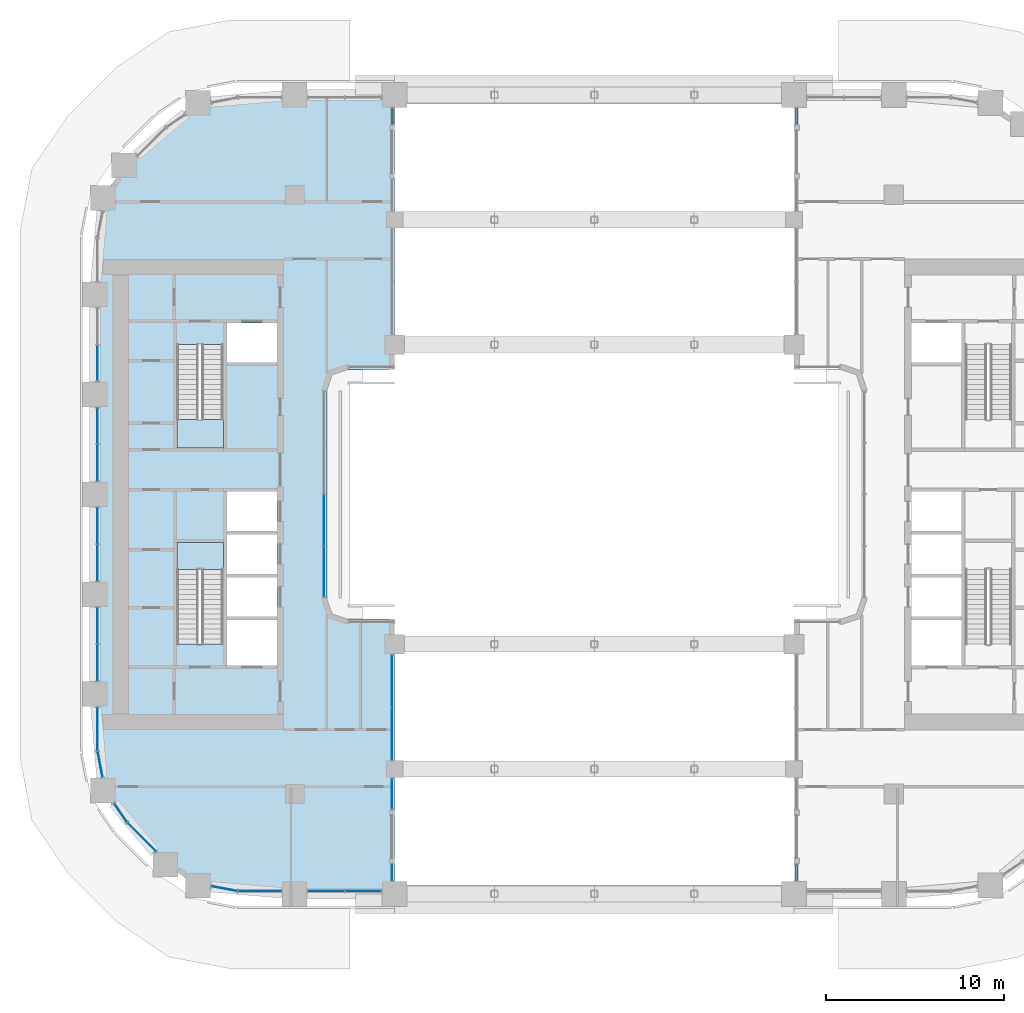
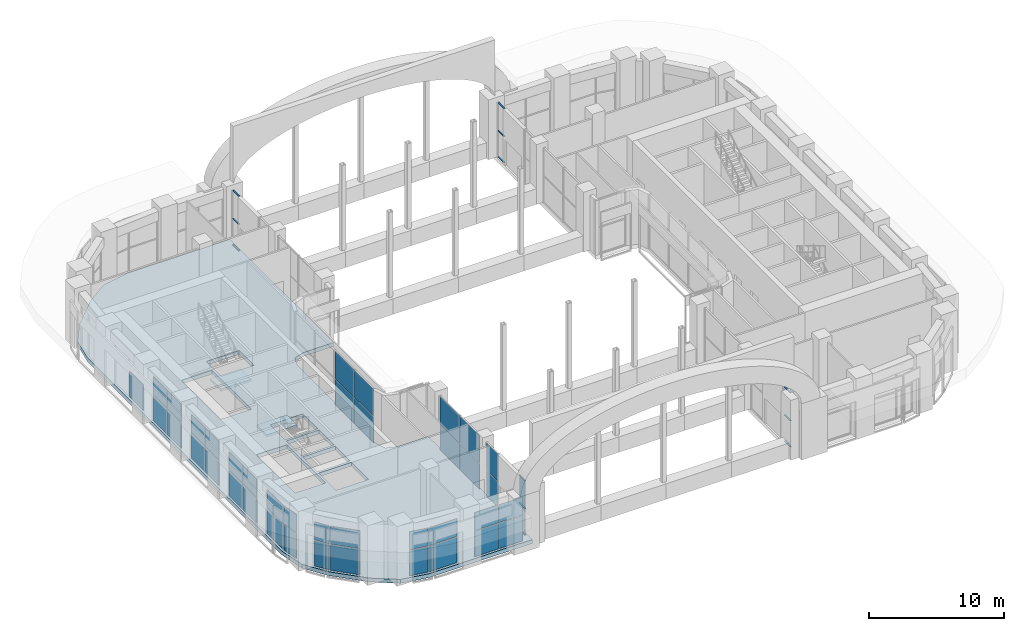
# One storey, part 11 of 27: 41 plates, 12 members, 3 slabs, 20 elements without a shape of their own.
"""IFC4 building model written with IfcOpenShell, lengths in metres."""

from ifc_helpers import new_model, si_unit, direction, frame, origin, origin_2d, place, context, subcontext, project, spatial, polyline, rectangle, outline, extrude, material, layer, layer_set, material_profile, profile_set, type_object, element, aggregate, save


model = new_model("IFC4")

# Units and contexts
model_context = context("Model", 3, precision=1e-05, world=origin(), true_north=direction((0.0, 1.0)))
body_context = subcontext(model_context, "Body", "Model", "MODEL_VIEW")
ifc_project = project(units=[si_unit("LENGTHUNIT", "METRE"), si_unit("AREAUNIT", "SQUARE_METRE"), si_unit("VOLUMEUNIT", "CUBIC_METRE"), si_unit("PLANEANGLEUNIT", "RADIAN"), si_unit("MASSUNIT", "GRAM", prefix="KILO")], contexts=[model_context])

# Site, building, storey
site_placement = place(None, origin())
site = spatial("IfcSite", under=ifc_project, at=site_placement, CompositionType="ELEMENT")
building_placement = place(site_placement, origin())
building = spatial("IfcBuilding", under=site, at=building_placement, Name="Kiln Ring Residences", CompositionType="ELEMENT")
storey_placement = place(building_placement, frame((0.0, 0.0, 72.5)))
storey = spatial("IfcBuildingStorey", under=building, at=storey_placement, Name="L18", CompositionType="ELEMENT", Elevation=72.5)

# Curtain wall, members
ifc_material_1 = material(Name="Aluminium and glass", Category="aluminium")
ifc_layer_1 = layer(ifc_material_1, 0.199951171875)
ifc_layer_set_1 = layer_set([ifc_layer_1], Name="CW1 CURTAIN WALL")
curtain_wall_type = type_object("IfcCurtainWallType", Name="CW1 CURTAIN WALL", PredefinedType="NOTDEFINED", material=ifc_layer_set_1)
placement_1 = place(storey_placement, origin())
curtain_wall_1 = element("IfcCurtainWall", 1, at=placement_1, inside=storey, type_object=curtain_wall_type, Name="Curtain wall CW1 L18", PredefinedType="NOTDEFINED")
ifc_material_2 = material(Name="Aluminium 6063-T6", Category="aluminium")
ifc_material_profile = material_profile(ifc_material_2, rectangle(XDim=0.1201171875, YDim=0.06005859375, at=origin_2d()), Name="AL 120x60")
ifc_profile_set = profile_set([ifc_material_profile], Name="Aluminium 6063-T6")
member_type = type_object("IfcMemberType", Name="CW1 TRANSOM 120 x 60", PredefinedType="USERDEFINED", material=ifc_profile_set)
member_1_placement = place(storey_placement, frame((-11.35009765625, -21.639892578125, 0.030029296875), z_axis=(0.0, 1.0, 0.0), x_axis=(-1.0, 0.0, 0.0)))
member_1 = element("IfcMember", 2, at=member_1_placement, type_object=member_type, Name="CW1 transom 1.1", ObjectType="TRANSOM", PredefinedType="USERDEFINED", context=body_context, shape_type="SweptSolid", body=[
    extrude(rectangle(XDim=0.1201171875, YDim=0.06005859375, at=origin_2d()), origin(), (0.0, 0.0, 1.0), 0.8798828125),
])
member_2_placement = place(storey_placement, frame((-11.35009765625, -21.639892578125, 2.39990234375), z_axis=(0.0, 1.0, 0.0), x_axis=(-1.0, 0.0, 0.0)))
member_2 = element("IfcMember", 3, at=member_2_placement, type_object=member_type, Name="CW1 transom 1.2", ObjectType="TRANSOM", PredefinedType="USERDEFINED", context=body_context, shape_type="SweptSolid", body=[
    extrude(rectangle(XDim=0.1201171875, YDim=0.06005859375, at=origin_2d()), origin(), (0.0, 0.0, 1.0), 0.8798828125),
])
member_3_placement = place(storey_placement, frame((-11.35009765625, -21.639892578125, 4.919921875), z_axis=(0.0, 1.0, 0.0), x_axis=(-1.0, 0.0, 0.0)))
member_3 = element("IfcMember", 4, at=member_3_placement, type_object=member_type, Name="CW1 transom 1.3", ObjectType="TRANSOM", PredefinedType="USERDEFINED", context=body_context, shape_type="SweptSolid", body=[
    extrude(rectangle(XDim=0.1201171875, YDim=0.06005859375, at=origin_2d()), origin(), (0.0, 0.0, 1.0), 0.8798828125),
])

curtain_wall_2 = element("IfcCurtainWall", 5, at=placement_1, inside=storey, type_object=curtain_wall_type, Name="Curtain wall CW1 L18", PredefinedType="NOTDEFINED")
member_4_placement = place(storey_placement, frame((-11.35009765625, 20.760009765625, 0.030029296875), z_axis=(0.0, 1.0, 0.0), x_axis=(-1.0, 0.0, 0.0)))
member_4 = element("IfcMember", 6, at=member_4_placement, type_object=member_type, Name="CW1 transom 1.1", ObjectType="TRANSOM", PredefinedType="USERDEFINED", context=body_context, shape_type="SweptSolid", body=[
    extrude(rectangle(XDim=0.1201171875, YDim=0.06005859375, at=origin_2d()), origin(), (0.0, 0.0, 1.0), 0.8798828125),
])
member_5_placement = place(storey_placement, frame((-11.35009765625, 20.760009765625, 2.39990234375), z_axis=(0.0, 1.0, 0.0), x_axis=(-1.0, 0.0, 0.0)))
member_5 = element("IfcMember", 7, at=member_5_placement, type_object=member_type, Name="CW1 transom 1.2", ObjectType="TRANSOM", PredefinedType="USERDEFINED", context=body_context, shape_type="SweptSolid", body=[
    extrude(rectangle(XDim=0.1201171875, YDim=0.06005859375, at=origin_2d()), origin(), (0.0, 0.0, 1.0), 0.8798828125),
])
member_6_placement = place(storey_placement, frame((-11.35009765625, 20.760009765625, 4.919921875), z_axis=(0.0, 1.0, 0.0), x_axis=(-1.0, 0.0, 0.0)))
member_6 = element("IfcMember", 8, at=member_6_placement, type_object=member_type, Name="CW1 transom 1.3", ObjectType="TRANSOM", PredefinedType="USERDEFINED", context=body_context, shape_type="SweptSolid", body=[
    extrude(rectangle(XDim=0.1201171875, YDim=0.06005859375, at=origin_2d()), origin(), (0.0, 0.0, 1.0), 0.8798828125),
])
aggregate(curtain_wall_2, [member_4, member_5, member_6])

curtain_wall_3 = element("IfcCurtainWall", 9, at=placement_1, inside=storey, type_object=curtain_wall_type, Name="Curtain wall CW1 L18", PredefinedType="NOTDEFINED")
member_7_placement = place(storey_placement, frame((11.35009765625, -20.760009765625, 0.030029296875), z_axis=(0.0, -1.0, 0.0), x_axis=(1.0, 0.0, 0.0)))
member_7 = element("IfcMember", 10, at=member_7_placement, type_object=member_type, Name="CW1 transom 1.1", ObjectType="TRANSOM", PredefinedType="USERDEFINED", context=body_context, shape_type="SweptSolid", body=[
    extrude(rectangle(XDim=0.1201171875, YDim=0.06005859375, at=origin_2d()), origin(), (0.0, 0.0, 1.0), 0.8798828125),
])
member_8_placement = place(storey_placement, frame((11.35009765625, -20.760009765625, 2.39990234375), z_axis=(0.0, -1.0, 0.0), x_axis=(1.0, 0.0, 0.0)))
member_8 = element("IfcMember", 11, at=member_8_placement, type_object=member_type, Name="CW1 transom 1.2", ObjectType="TRANSOM", PredefinedType="USERDEFINED", context=body_context, shape_type="SweptSolid", body=[
    extrude(rectangle(XDim=0.1201171875, YDim=0.06005859375, at=origin_2d()), origin(), (0.0, 0.0, 1.0), 0.8798828125),
])
member_9_placement = place(storey_placement, frame((11.35009765625, -20.760009765625, 4.919921875), z_axis=(0.0, -1.0, 0.0), x_axis=(1.0, 0.0, 0.0)))
member_9 = element("IfcMember", 12, at=member_9_placement, type_object=member_type, Name="CW1 transom 1.3", ObjectType="TRANSOM", PredefinedType="USERDEFINED", context=body_context, shape_type="SweptSolid", body=[
    extrude(rectangle(XDim=0.1201171875, YDim=0.06005859375, at=origin_2d()), origin(), (0.0, 0.0, 1.0), 0.8798828125),
])
aggregate(curtain_wall_3, [member_7, member_8, member_9])

curtain_wall_4 = element("IfcCurtainWall", 13, at=placement_1, inside=storey, type_object=curtain_wall_type, Name="Curtain wall CW1 L18", PredefinedType="NOTDEFINED")
member_10_placement = place(storey_placement, frame((11.35009765625, 21.639892578125, 0.030029296875), z_axis=(0.0, -1.0, 0.0), x_axis=(1.0, 0.0, 0.0)))
member_10 = element("IfcMember", 14, at=member_10_placement, type_object=member_type, Name="CW1 transom 1.1", ObjectType="TRANSOM", PredefinedType="USERDEFINED", context=body_context, shape_type="SweptSolid", body=[
    extrude(rectangle(XDim=0.1201171875, YDim=0.06005859375, at=origin_2d()), origin(), (0.0, 0.0, 1.0), 0.8798828125),
])
member_11_placement = place(storey_placement, frame((11.35009765625, 21.639892578125, 2.39990234375), z_axis=(0.0, -1.0, 0.0), x_axis=(1.0, 0.0, 0.0)))
member_11 = element("IfcMember", 15, at=member_11_placement, type_object=member_type, Name="CW1 transom 1.2", ObjectType="TRANSOM", PredefinedType="USERDEFINED", context=body_context, shape_type="SweptSolid", body=[
    extrude(rectangle(XDim=0.1201171875, YDim=0.06005859375, at=origin_2d()), origin(), (0.0, 0.0, 1.0), 0.8798828125),
])
member_12_placement = place(storey_placement, frame((11.35009765625, 21.639892578125, 4.919921875), z_axis=(0.0, -1.0, 0.0), x_axis=(1.0, 0.0, 0.0)))
member_12 = element("IfcMember", 16, at=member_12_placement, type_object=member_type, Name="CW1 transom 1.3", ObjectType="TRANSOM", PredefinedType="USERDEFINED", context=body_context, shape_type="SweptSolid", body=[
    extrude(rectangle(XDim=0.1201171875, YDim=0.06005859375, at=origin_2d()), origin(), (0.0, 0.0, 1.0), 0.8798828125),
])
aggregate(curtain_wall_4, [member_10, member_11, member_12])

# Stair, slab
ifc_material_3 = material(Name="Concrete C40/50", Category="concrete")
stair_type = type_object("IfcStairType", Name="CORE-STAIR", PredefinedType="HALF_TURN_STAIR", material=ifc_material_3)
stair_1 = element("IfcStair", 17, at=placement_1, inside=storey, type_object=stair_type, Name="L18 stair W-STN", PredefinedType="HALF_TURN_STAIR")
ifc_material_4 = material(Name="Concrete C40/50", Category="concrete")
ifc_layer_2 = layer(ifc_material_4, 0.199951171875)
ifc_layer_set_2 = layer_set([ifc_layer_2], Name="CORE-STAIR-LANDING")
slab_type_1 = type_object("IfcSlabType", Name="CORE-STAIR-LANDING", PredefinedType="LANDING", material=ifc_layer_set_2)
placement_2 = place(storey_placement, frame((0.0, 0.0, 2.5)))
slab_1 = element("IfcSlab", 18, at=placement_2, type_object=slab_type_1, Name="W-STN landing 1", PredefinedType="LANDING", context=body_context, shape_type="SweptSolid", body=[
    extrude(outline(polyline([(-23.39990234375, 4.199951171875), (-23.39990234375, 2.60009765625), (-20.800048828125, 2.60009765625), (-20.800048828125, 4.199951171875), (-23.39990234375, 4.199951171875)])), origin(), (0.0, 0.0, 1.0), 0.199951171875),
])
aggregate(stair_1, [slab_1])

stair_2 = element("IfcStair", 19, at=placement_1, inside=storey, type_object=stair_type, Name="L18 stair W-STS", PredefinedType="HALF_TURN_STAIR")
slab_2 = element("IfcSlab", 20, at=placement_2, type_object=slab_type_1, Name="W-STS landing 1", PredefinedType="LANDING", context=body_context, shape_type="SweptSolid", body=[
    extrude(outline(polyline([(-20.800048828125, -4.199951171875), (-20.800048828125, -2.699951171875), (-23.39990234375, -2.699951171875), (-23.39990234375, -4.199951171875), (-20.800048828125, -4.199951171875)])), origin(), (0.0, 0.0, 1.0), 0.199951171875),
])
aggregate(stair_2, [slab_2])

# Curtain wall, plates
curtain_wall_5 = element("IfcCurtainWall", 21, at=placement_1, inside=storey, type_object=curtain_wall_type, Name="Curtain wall CW1 L18", PredefinedType="NOTDEFINED")
ifc_material_5 = material(Name="Glass, low-e laminated", Category="glass")
ifc_layer_3 = layer(ifc_material_5, 0.028076171875)
ifc_layer_set_3 = layer_set([ifc_layer_3], Name="CW1 PANEL 28")
plate_type = type_object("IfcPlateType", Name="CW1 PANEL 28", PredefinedType="CURTAIN_PANEL", material=ifc_layer_set_3)
plate_1_placement = place(storey_placement, frame((-27.706787109375, -15.13623046875, 0.06005859375), z_axis=(0.0, 0.0, 1.0), x_axis=(0.187365550313, -0.982290257793, 0.0)))
plate_1 = element("IfcPlate", 22, at=plate_1_placement, type_object=plate_type, Name="CW1 panel 1.1", PredefinedType="CURTAIN_PANEL", context=body_context, shape_type="SweptSolid", body=[
    extrude(rectangle(XDim=1.43603515625, YDim=0.028076171875, at=origin_2d()), origin(), (0.0, 0.0, 1.0), 2.31005859375),
])
plate_2_placement = place(storey_placement, frame((-27.706787109375, -15.13623046875, 2.43017578125), z_axis=(0.0, 0.0, 1.0), x_axis=(0.187365550313, -0.982290257793, 0.0)))
plate_2 = element("IfcPlate", 23, at=plate_2_placement, type_object=plate_type, Name="CW1 panel 1.2", PredefinedType="CURTAIN_PANEL", context=body_context, shape_type="SweptSolid", body=[
    extrude(rectangle(XDim=1.43603515625, YDim=0.028076171875, at=origin_2d()), origin(), (0.0, 0.0, 1.0), 1.610107421875),
])
aggregate(curtain_wall_5, [plate_1, plate_2])

curtain_wall_6 = element("IfcCurtainWall", 24, at=placement_1, inside=storey, type_object=curtain_wall_type, Name="Curtain wall CW1 L18", PredefinedType="NOTDEFINED")
plate_3_placement = place(storey_placement, frame((-26.553955078125, -17.86083984375, 0.06005859375), z_axis=(0.0, 0.0, 1.0), x_axis=(0.56209665138, -0.827071553439, 0.0)))
plate_3 = element("IfcPlate", 25, at=plate_3_placement, type_object=plate_type, Name="CW1 panel 1.1", PredefinedType="CURTAIN_PANEL", context=body_context, shape_type="SweptSolid", body=[
    extrude(rectangle(XDim=1.21484375, YDim=0.028076171875, at=origin_2d()), origin(), (0.0, 0.0, 1.0), 2.31005859375),
])
plate_4_placement = place(storey_placement, frame((-26.553955078125, -17.86083984375, 2.43017578125), z_axis=(0.0, 0.0, 1.0), x_axis=(0.56209665138, -0.827071553439, 0.0)))
plate_4 = element("IfcPlate", 26, at=plate_4_placement, type_object=plate_type, Name="CW1 panel 1.2", PredefinedType="CURTAIN_PANEL", context=body_context, shape_type="SweptSolid", body=[
    extrude(rectangle(XDim=1.21484375, YDim=0.028076171875, at=origin_2d()), origin(), (0.0, 0.0, 1.0), 1.610107421875),
])
aggregate(curtain_wall_6, [plate_3, plate_4])

curtain_wall_7 = element("IfcCurtainWall", 27, at=placement_1, inside=storey, type_object=curtain_wall_type, Name="Curtain wall CW1 L18", PredefinedType="NOTDEFINED")
plate_5_placement = place(storey_placement, frame((-25.362548828125, -19.225341796875, 0.06005859375), z_axis=(0.0, 0.0, 1.0), x_axis=(0.707106781187, -0.707106781187, 0.0)))
plate_5 = element("IfcPlate", 28, at=plate_5_placement, type_object=plate_type, Name="CW1 panel 1.1", PredefinedType="CURTAIN_PANEL", context=body_context, shape_type="SweptSolid", body=[
    extrude(rectangle(XDim=2.239990234375, YDim=0.028076171875, at=origin_2d()), origin(), (0.0, 0.0, 1.0), 2.31005859375),
])
plate_6_placement = place(storey_placement, frame((-25.362548828125, -19.225341796875, 2.43017578125), z_axis=(0.0, 0.0, 1.0), x_axis=(0.707106781187, -0.707106781187, 0.0)))
plate_6 = element("IfcPlate", 29, at=plate_6_placement, type_object=plate_type, Name="CW1 panel 1.2", PredefinedType="CURTAIN_PANEL", context=body_context, shape_type="SweptSolid", body=[
    extrude(rectangle(XDim=2.239990234375, YDim=0.028076171875, at=origin_2d()), origin(), (0.0, 0.0, 1.0), 1.610107421875),
])
aggregate(curtain_wall_7, [plate_5, plate_6])

curtain_wall_8 = element("IfcCurtainWall", 30, at=placement_1, inside=storey, type_object=curtain_wall_type, Name="Curtain wall CW1 L18", PredefinedType="NOTDEFINED")
plate_7_placement = place(storey_placement, frame((-20.736083984375, -22.10693359375, 0.06005859375), z_axis=(0.0, 0.0, 1.0), x_axis=(0.982290257793, -0.187365550313, 0.0)))
plate_7 = element("IfcPlate", 31, at=plate_7_placement, type_object=plate_type, Name="CW1 panel 1.1", PredefinedType="CURTAIN_PANEL", context=body_context, shape_type="SweptSolid", body=[
    extrude(rectangle(XDim=1.43603515625, YDim=0.028076171875, at=origin_2d()), origin(), (0.0, 0.0, 1.0), 2.31005859375),
])
plate_8_placement = place(storey_placement, frame((-20.736083984375, -22.10693359375, 2.43017578125), z_axis=(0.0, 0.0, 1.0), x_axis=(0.982290257793, -0.187365550313, 0.0)))
plate_8 = element("IfcPlate", 32, at=plate_8_placement, type_object=plate_type, Name="CW1 panel 1.2", PredefinedType="CURTAIN_PANEL", context=body_context, shape_type="SweptSolid", body=[
    extrude(rectangle(XDim=1.43603515625, YDim=0.028076171875, at=origin_2d()), origin(), (0.0, 0.0, 1.0), 1.610107421875),
])
aggregate(curtain_wall_8, [plate_7, plate_8])

curtain_wall_9 = element("IfcCurtainWall", 33, at=placement_1, inside=storey, type_object=curtain_wall_type, Name="Curtain wall CW1 L18", PredefinedType="NOTDEFINED")
plate_9_placement = place(storey_placement, frame((-18.75, -22.25, 0.06005859375), z_axis=(0.0, 0.0, 1.0), x_axis=(1.0, 0.0, 0.0)))
plate_9 = element("IfcPlate", 34, at=plate_9_placement, type_object=plate_type, Name="CW1 panel 1.1", PredefinedType="CURTAIN_PANEL", context=body_context, shape_type="SweptSolid", body=[
    extrude(rectangle(XDim=2.3798828125, YDim=0.028076171875, at=origin_2d()), origin(), (0.0, 0.0, 1.0), 2.31005859375),
])
plate_10_placement = place(storey_placement, frame((-18.75, -22.25, 2.43017578125), z_axis=(0.0, 0.0, 1.0), x_axis=(1.0, 0.0, 0.0)))
plate_10 = element("IfcPlate", 35, at=plate_10_placement, type_object=plate_type, Name="CW1 panel 1.2", PredefinedType="CURTAIN_PANEL", context=body_context, shape_type="SweptSolid", body=[
    extrude(rectangle(XDim=2.3798828125, YDim=0.028076171875, at=origin_2d()), origin(), (0.0, 0.0, 1.0), 1.610107421875),
])
aggregate(curtain_wall_9, [plate_9, plate_10])

curtain_wall_10 = element("IfcCurtainWall", 36, at=placement_1, inside=storey, type_object=curtain_wall_type, Name="Curtain wall CW1 L18", PredefinedType="NOTDEFINED")
plate_11_placement = place(storey_placement, frame((-15.034912109375, -22.25, 0.06005859375), z_axis=(0.0, 0.0, 1.0), x_axis=(1.0, 0.0, 0.0)))
plate_11 = element("IfcPlate", 37, at=plate_11_placement, type_object=plate_type, Name="CW1 panel 1.1", PredefinedType="CURTAIN_PANEL", context=body_context, shape_type="SweptSolid", body=[
    extrude(rectangle(XDim=2.010009765625, YDim=0.028076171875, at=origin_2d()), origin(), (0.0, 0.0, 1.0), 2.31005859375),
])
plate_12_placement = place(storey_placement, frame((-15.034912109375, -22.25, 2.43017578125), z_axis=(0.0, 0.0, 1.0), x_axis=(1.0, 0.0, 0.0)))
plate_12 = element("IfcPlate", 38, at=plate_12_placement, type_object=plate_type, Name="CW1 panel 1.2", PredefinedType="CURTAIN_PANEL", context=body_context, shape_type="SweptSolid", body=[
    extrude(rectangle(XDim=2.010009765625, YDim=0.028076171875, at=origin_2d()), origin(), (0.0, 0.0, 1.0), 1.610107421875),
])
plate_13_placement = place(storey_placement, frame((-12.965087890625, -22.25, 0.06005859375), z_axis=(0.0, 0.0, 1.0), x_axis=(1.0, 0.0, 0.0)))
plate_13 = element("IfcPlate", 39, at=plate_13_placement, type_object=plate_type, Name="CW1 panel 2.1", PredefinedType="CURTAIN_PANEL", context=body_context, shape_type="SweptSolid", body=[
    extrude(rectangle(XDim=2.010009765625, YDim=0.028076171875, at=origin_2d()), origin(), (0.0, 0.0, 1.0), 2.31005859375),
])
plate_14_placement = place(storey_placement, frame((-12.965087890625, -22.25, 2.43017578125), z_axis=(0.0, 0.0, 1.0), x_axis=(1.0, 0.0, 0.0)))
plate_14 = element("IfcPlate", 40, at=plate_14_placement, type_object=plate_type, Name="CW1 panel 2.2", PredefinedType="CURTAIN_PANEL", context=body_context, shape_type="SweptSolid", body=[
    extrude(rectangle(XDim=2.010009765625, YDim=0.028076171875, at=origin_2d()), origin(), (0.0, 0.0, 1.0), 1.610107421875),
])
aggregate(curtain_wall_10, [plate_11, plate_12, plate_13, plate_14])

# Plate
plate_15_placement = place(storey_placement, frame((-11.35009765625, -21.199951171875, 0.06005859375), z_axis=(0.0, 0.0, 1.0), x_axis=(0.0, 1.0, 0.0)))
plate_15 = element("IfcPlate", 41, at=plate_15_placement, type_object=plate_type, Name="CW1 panel 1.1", PredefinedType="CURTAIN_PANEL", context=body_context, shape_type="SweptSolid", body=[
    extrude(rectangle(XDim=0.8798828125, YDim=0.028076171875, at=origin_2d()), origin(), (0.0, 0.0, 1.0), 2.31005859375),
])

plate_16_placement = place(storey_placement, frame((-11.35009765625, -21.199951171875, 2.429931640625), z_axis=(0.0, 0.0, 1.0), x_axis=(0.0, 1.0, 0.0)))
plate_16 = element("IfcPlate", 42, at=plate_16_placement, type_object=plate_type, Name="CW1 panel 1.2", PredefinedType="CURTAIN_PANEL", context=body_context, shape_type="SweptSolid", body=[
    extrude(rectangle(XDim=0.8798828125, YDim=0.028076171875, at=origin_2d()), origin(), (0.0, 0.0, 1.0), 2.4599609375),
])

aggregate(curtain_wall_1, [member_1, member_2, member_3, plate_15, plate_16])

# Curtain wall, plates
curtain_wall_11 = element("IfcCurtainWall", 43, at=placement_1, inside=storey, type_object=curtain_wall_type, Name="Curtain wall CW1 L18", PredefinedType="NOTDEFINED")
plate_17_placement = place(storey_placement, frame((-11.35009765625, -16.78759765625, 0.06005859375), z_axis=(0.0, 0.0, 1.0), x_axis=(0.0, 1.0, 0.0)))
plate_17 = element("IfcPlate", 44, at=plate_17_placement, type_object=plate_type, Name="CW1 panel 1.1", PredefinedType="CURTAIN_PANEL", context=body_context, shape_type="SweptSolid", body=[
    extrude(rectangle(XDim=1.705078125, YDim=0.028076171875, at=origin_2d()), origin(), (0.0, 0.0, 1.0), 2.31005859375),
])
plate_18_placement = place(storey_placement, frame((-11.35009765625, -16.78759765625, 2.429931640625), z_axis=(0.0, 0.0, 1.0), x_axis=(0.0, 1.0, 0.0)))
plate_18 = element("IfcPlate", 45, at=plate_18_placement, type_object=plate_type, Name="CW1 panel 1.2", PredefinedType="CURTAIN_PANEL", context=body_context, shape_type="SweptSolid", body=[
    extrude(rectangle(XDim=1.705078125, YDim=0.028076171875, at=origin_2d()), origin(), (0.0, 0.0, 1.0), 2.4599609375),
])
aggregate(curtain_wall_11, [plate_17, plate_18])

curtain_wall_12 = element("IfcCurtainWall", 46, at=placement_1, inside=storey, type_object=curtain_wall_type, Name="Curtain wall CW1 L18", PredefinedType="NOTDEFINED")
plate_19_placement = place(storey_placement, frame((-11.35009765625, -13.416259765625, 0.06005859375), z_axis=(0.0, 0.0, 1.0), x_axis=(0.0, 1.0, 0.0)))
plate_19 = element("IfcPlate", 47, at=plate_19_placement, type_object=plate_type, Name="CW1 panel 1.1", PredefinedType="CURTAIN_PANEL", context=body_context, shape_type="SweptSolid", body=[
    extrude(rectangle(XDim=2.8974609375, YDim=0.028076171875, at=origin_2d()), origin(), (0.0, 0.0, 1.0), 2.31005859375),
])
plate_20_placement = place(storey_placement, frame((-11.35009765625, -13.416259765625, 2.429931640625), z_axis=(0.0, 0.0, 1.0), x_axis=(0.0, 1.0, 0.0)))
plate_20 = element("IfcPlate", 48, at=plate_20_placement, type_object=plate_type, Name="CW1 panel 1.2", PredefinedType="CURTAIN_PANEL", context=body_context, shape_type="SweptSolid", body=[
    extrude(rectangle(XDim=2.8974609375, YDim=0.028076171875, at=origin_2d()), origin(), (0.0, 0.0, 1.0), 2.4599609375),
])
plate_21_placement = place(storey_placement, frame((-11.35009765625, -10.458740234375, 0.06005859375), z_axis=(0.0, 0.0, 1.0), x_axis=(0.0, 1.0, 0.0)))
plate_21 = element("IfcPlate", 49, at=plate_21_placement, type_object=plate_type, Name="CW1 panel 2.1", PredefinedType="CURTAIN_PANEL", context=body_context, shape_type="SweptSolid", body=[
    extrude(rectangle(XDim=2.8974609375, YDim=0.028076171875, at=origin_2d()), origin(), (0.0, 0.0, 1.0), 2.31005859375),
])
plate_22_placement = place(storey_placement, frame((-11.35009765625, -10.458740234375, 2.429931640625), z_axis=(0.0, 0.0, 1.0), x_axis=(0.0, 1.0, 0.0)))
plate_22 = element("IfcPlate", 50, at=plate_22_placement, type_object=plate_type, Name="CW1 panel 2.2", PredefinedType="CURTAIN_PANEL", context=body_context, shape_type="SweptSolid", body=[
    extrude(rectangle(XDim=2.8974609375, YDim=0.028076171875, at=origin_2d()), origin(), (0.0, 0.0, 1.0), 2.4599609375),
])
aggregate(curtain_wall_12, [plate_19, plate_20, plate_21, plate_22])

curtain_wall_13 = element("IfcCurtainWall", 51, at=placement_1, inside=storey, type_object=curtain_wall_type, Name="Curtain wall CW1 L18", PredefinedType="NOTDEFINED")
plate_23_placement = place(storey_placement, frame((-15.14990234375, -4.3349609375, 0.06005859375), z_axis=(0.0, 0.0, 1.0), x_axis=(0.0, 1.0, 0.0)))
plate_23 = element("IfcPlate", 52, at=plate_23_placement, type_object=plate_type, Name="CW1 panel 1.1", PredefinedType="CURTAIN_PANEL", context=body_context, shape_type="SweptSolid", body=[
    extrude(rectangle(XDim=2.81005859375, YDim=0.028076171875, at=origin_2d()), origin(), (0.0, 0.0, 1.0), 2.31005859375),
])
plate_24_placement = place(storey_placement, frame((-15.14990234375, -4.3349609375, 2.429931640625), z_axis=(0.0, 0.0, 1.0), x_axis=(0.0, 1.0, 0.0)))
plate_24 = element("IfcPlate", 53, at=plate_24_placement, type_object=plate_type, Name="CW1 panel 1.2", PredefinedType="CURTAIN_PANEL", context=body_context, shape_type="SweptSolid", body=[
    extrude(rectangle(XDim=2.81005859375, YDim=0.028076171875, at=origin_2d()), origin(), (0.0, 0.0, 1.0), 2.4599609375),
])
plate_25_placement = place(storey_placement, frame((-15.14990234375, -1.449951171875, 0.06005859375), z_axis=(0.0, 0.0, 1.0), x_axis=(0.0, 1.0, 0.0)))
plate_25 = element("IfcPlate", 54, at=plate_25_placement, type_object=plate_type, Name="CW1 panel 2.1", PredefinedType="CURTAIN_PANEL", context=body_context, shape_type="SweptSolid", body=[
    extrude(rectangle(XDim=2.840087890625, YDim=0.028076171875, at=origin_2d()), origin(), (0.0, 0.0, 1.0), 2.31005859375),
])
plate_26_placement = place(storey_placement, frame((-15.14990234375, -1.449951171875, 2.429931640625), z_axis=(0.0, 0.0, 1.0), x_axis=(0.0, 1.0, 0.0)))
plate_26 = element("IfcPlate", 55, at=plate_26_placement, type_object=plate_type, Name="CW1 panel 2.2", PredefinedType="CURTAIN_PANEL", context=body_context, shape_type="SweptSolid", body=[
    extrude(rectangle(XDim=2.840087890625, YDim=0.028076171875, at=origin_2d()), origin(), (0.0, 0.0, 1.0), 2.4599609375),
])
aggregate(curtain_wall_13, [plate_23, plate_24, plate_25, plate_26])

# Curtain wall, plate
curtain_wall_14 = element("IfcCurtainWall", 56, at=placement_1, inside=storey, type_object=curtain_wall_type, Name="Curtain wall CW1 L18", PredefinedType="NOTDEFINED")
plate_27_placement = place(storey_placement, frame((-27.85009765625, 7.364990234375, 0.06005859375), z_axis=(0.0, 0.0, 1.0), x_axis=(0.0, -1.0, 0.0)))
plate_27 = element("IfcPlate", 57, at=plate_27_placement, type_object=plate_type, Name="CW1 panel 2.1", PredefinedType="CURTAIN_PANEL", context=body_context, shape_type="SweptSolid", body=[
    extrude(rectangle(XDim=2.010009765625, YDim=0.028076171875, at=origin_2d()), origin(), (0.0, 0.0, 1.0), 2.31005859375),
])
aggregate(curtain_wall_14, [plate_27])

# Curtain wall, plates
curtain_wall_15 = element("IfcCurtainWall", 58, at=placement_1, inside=storey, type_object=curtain_wall_type, Name="Curtain wall CW1 L18", PredefinedType="NOTDEFINED")
plate_28_placement = place(storey_placement, frame((-27.85009765625, 3.8349609375, 0.06005859375), z_axis=(0.0, 0.0, 1.0), x_axis=(0.0, -1.0, 0.0)))
plate_28 = element("IfcPlate", 59, at=plate_28_placement, type_object=plate_type, Name="CW1 panel 1.1", PredefinedType="CURTAIN_PANEL", context=body_context, shape_type="SweptSolid", body=[
    extrude(rectangle(XDim=2.010009765625, YDim=0.028076171875, at=origin_2d()), origin(), (0.0, 0.0, 1.0), 2.31005859375),
])
plate_29_placement = place(storey_placement, frame((-27.85009765625, 3.8349609375, 2.43017578125), z_axis=(0.0, 0.0, 1.0), x_axis=(0.0, -1.0, 0.0)))
plate_29 = element("IfcPlate", 60, at=plate_29_placement, type_object=plate_type, Name="CW1 panel 1.2", PredefinedType="CURTAIN_PANEL", context=body_context, shape_type="SweptSolid", body=[
    extrude(rectangle(XDim=2.010009765625, YDim=0.028076171875, at=origin_2d()), origin(), (0.0, 0.0, 1.0), 1.610107421875),
])
plate_30_placement = place(storey_placement, frame((-27.85009765625, 1.764892578125, 0.06005859375), z_axis=(0.0, 0.0, 1.0), x_axis=(0.0, -1.0, 0.0)))
plate_30 = element("IfcPlate", 61, at=plate_30_placement, type_object=plate_type, Name="CW1 panel 2.1", PredefinedType="CURTAIN_PANEL", context=body_context, shape_type="SweptSolid", body=[
    extrude(rectangle(XDim=2.010009765625, YDim=0.028076171875, at=origin_2d()), origin(), (0.0, 0.0, 1.0), 2.31005859375),
])
plate_31_placement = place(storey_placement, frame((-27.85009765625, 1.764892578125, 2.43017578125), z_axis=(0.0, 0.0, 1.0), x_axis=(0.0, -1.0, 0.0)))
plate_31 = element("IfcPlate", 62, at=plate_31_placement, type_object=plate_type, Name="CW1 panel 2.2", PredefinedType="CURTAIN_PANEL", context=body_context, shape_type="SweptSolid", body=[
    extrude(rectangle(XDim=2.010009765625, YDim=0.028076171875, at=origin_2d()), origin(), (0.0, 0.0, 1.0), 1.610107421875),
])
aggregate(curtain_wall_15, [plate_28, plate_29, plate_30, plate_31])

curtain_wall_16 = element("IfcCurtainWall", 63, at=placement_1, inside=storey, type_object=curtain_wall_type, Name="Curtain wall CW1 L18", PredefinedType="NOTDEFINED")
plate_32_placement = place(storey_placement, frame((-27.85009765625, -1.764892578125, 0.06005859375), z_axis=(0.0, 0.0, 1.0), x_axis=(0.0, -1.0, 0.0)))
plate_32 = element("IfcPlate", 64, at=plate_32_placement, type_object=plate_type, Name="CW1 panel 1.1", PredefinedType="CURTAIN_PANEL", context=body_context, shape_type="SweptSolid", body=[
    extrude(rectangle(XDim=2.010009765625, YDim=0.028076171875, at=origin_2d()), origin(), (0.0, 0.0, 1.0), 2.31005859375),
])
plate_33_placement = place(storey_placement, frame((-27.85009765625, -1.764892578125, 2.43017578125), z_axis=(0.0, 0.0, 1.0), x_axis=(0.0, -1.0, 0.0)))
plate_33 = element("IfcPlate", 65, at=plate_33_placement, type_object=plate_type, Name="CW1 panel 1.2", PredefinedType="CURTAIN_PANEL", context=body_context, shape_type="SweptSolid", body=[
    extrude(rectangle(XDim=2.010009765625, YDim=0.028076171875, at=origin_2d()), origin(), (0.0, 0.0, 1.0), 1.610107421875),
])
plate_34_placement = place(storey_placement, frame((-27.85009765625, -3.8349609375, 0.06005859375), z_axis=(0.0, 0.0, 1.0), x_axis=(0.0, -1.0, 0.0)))
plate_34 = element("IfcPlate", 66, at=plate_34_placement, type_object=plate_type, Name="CW1 panel 2.1", PredefinedType="CURTAIN_PANEL", context=body_context, shape_type="SweptSolid", body=[
    extrude(rectangle(XDim=2.010009765625, YDim=0.028076171875, at=origin_2d()), origin(), (0.0, 0.0, 1.0), 2.31005859375),
])
plate_35_placement = place(storey_placement, frame((-27.85009765625, -3.8349609375, 2.43017578125), z_axis=(0.0, 0.0, 1.0), x_axis=(0.0, -1.0, 0.0)))
plate_35 = element("IfcPlate", 67, at=plate_35_placement, type_object=plate_type, Name="CW1 panel 2.2", PredefinedType="CURTAIN_PANEL", context=body_context, shape_type="SweptSolid", body=[
    extrude(rectangle(XDim=2.010009765625, YDim=0.028076171875, at=origin_2d()), origin(), (0.0, 0.0, 1.0), 1.610107421875),
])
aggregate(curtain_wall_16, [plate_32, plate_33, plate_34, plate_35])

curtain_wall_17 = element("IfcCurtainWall", 68, at=placement_1, inside=storey, type_object=curtain_wall_type, Name="Curtain wall CW1 L18", PredefinedType="NOTDEFINED")
plate_36_placement = place(storey_placement, frame((-27.85009765625, -7.364990234375, 0.06005859375), z_axis=(0.0, 0.0, 1.0), x_axis=(0.0, -1.0, 0.0)))
plate_36 = element("IfcPlate", 69, at=plate_36_placement, type_object=plate_type, Name="CW1 panel 1.1", PredefinedType="CURTAIN_PANEL", context=body_context, shape_type="SweptSolid", body=[
    extrude(rectangle(XDim=2.010009765625, YDim=0.028076171875, at=origin_2d()), origin(), (0.0, 0.0, 1.0), 2.31005859375),
])
plate_37_placement = place(storey_placement, frame((-27.85009765625, -7.364990234375, 2.43017578125), z_axis=(0.0, 0.0, 1.0), x_axis=(0.0, -1.0, 0.0)))
plate_37 = element("IfcPlate", 70, at=plate_37_placement, type_object=plate_type, Name="CW1 panel 1.2", PredefinedType="CURTAIN_PANEL", context=body_context, shape_type="SweptSolid", body=[
    extrude(rectangle(XDim=2.010009765625, YDim=0.028076171875, at=origin_2d()), origin(), (0.0, 0.0, 1.0), 1.610107421875),
])
plate_38_placement = place(storey_placement, frame((-27.85009765625, -9.43505859375, 0.06005859375), z_axis=(0.0, 0.0, 1.0), x_axis=(0.0, -1.0, 0.0)))
plate_38 = element("IfcPlate", 71, at=plate_38_placement, type_object=plate_type, Name="CW1 panel 2.1", PredefinedType="CURTAIN_PANEL", context=body_context, shape_type="SweptSolid", body=[
    extrude(rectangle(XDim=2.010009765625, YDim=0.028076171875, at=origin_2d()), origin(), (0.0, 0.0, 1.0), 2.31005859375),
])
plate_39_placement = place(storey_placement, frame((-27.85009765625, -9.43505859375, 2.43017578125), z_axis=(0.0, 0.0, 1.0), x_axis=(0.0, -1.0, 0.0)))
plate_39 = element("IfcPlate", 72, at=plate_39_placement, type_object=plate_type, Name="CW1 panel 2.2", PredefinedType="CURTAIN_PANEL", context=body_context, shape_type="SweptSolid", body=[
    extrude(rectangle(XDim=2.010009765625, YDim=0.028076171875, at=origin_2d()), origin(), (0.0, 0.0, 1.0), 1.610107421875),
])
aggregate(curtain_wall_17, [plate_36, plate_37, plate_38, plate_39])

curtain_wall_18 = element("IfcCurtainWall", 73, at=placement_1, inside=storey, type_object=curtain_wall_type, Name="Curtain wall CW1 L18", PredefinedType="NOTDEFINED")
plate_40_placement = place(storey_placement, frame((-27.85009765625, -13.14990234375, 0.06005859375), z_axis=(0.0, 0.0, 1.0), x_axis=(0.0, -1.0, 0.0)))
plate_40 = element("IfcPlate", 74, at=plate_40_placement, type_object=plate_type, Name="CW1 panel 1.1", PredefinedType="CURTAIN_PANEL", context=body_context, shape_type="SweptSolid", body=[
    extrude(rectangle(XDim=2.3798828125, YDim=0.028076171875, at=origin_2d()), origin(), (0.0, 0.0, 1.0), 2.31005859375),
])
plate_41_placement = place(storey_placement, frame((-27.85009765625, -13.14990234375, 2.43017578125), z_axis=(0.0, 0.0, 1.0), x_axis=(0.0, -1.0, 0.0)))
plate_41 = element("IfcPlate", 75, at=plate_41_placement, type_object=plate_type, Name="CW1 panel 1.2", PredefinedType="CURTAIN_PANEL", context=body_context, shape_type="SweptSolid", body=[
    extrude(rectangle(XDim=2.3798828125, YDim=0.028076171875, at=origin_2d()), origin(), (0.0, 0.0, 1.0), 1.610107421875),
])
aggregate(curtain_wall_18, [plate_40, plate_41])

# Slab
ifc_material_6 = material(Name="Concrete C40/50", Category="concrete")
ifc_layer_4 = layer(ifc_material_6, 0.35009765625)
ifc_layer_set_4 = layer_set([ifc_layer_4], Name="Floor slab 350")
slab_type_2 = type_object("IfcSlabType", Name="Floor slab 350", PredefinedType="FLOOR", material=ifc_layer_set_4)
slab_3_placement = place(storey_placement, frame((0.0, 0.0, -0.35009765625)))
element("IfcSlab", 76, at=slab_3_placement, inside=storey, type_object=slab_type_2, Name="Floor slab L18 1", PredefinedType="FLOOR", context=body_context, shape_type="SweptSolid", body=[
    extrude(outline(polyline([(-28.0, -14.39990234375), (-27.57568359375, -16.624267578125), (-26.302978515625, -18.4970703125), (-24.09716796875, -20.702880859375), (-22.224365234375, -21.975830078125), (-20.0, -22.39990234375), (-11.199951171875, -22.39990234375), (-11.199951171875, -7.0), (-13.800048828125, -7.0), (-14.699951171875, -6.699951171875), (-15.0, -5.800048828125), (-15.0, 5.800048828125), (-14.699951171875, 6.699951171875), (-13.800048828125, 7.0), (-11.199951171875, 7.0), (-11.199951171875, 22.39990234375), (-20.0, 22.39990234375), (-22.224365234375, 21.975830078125), (-24.09716796875, 20.702880859375), (-26.302978515625, 18.4970703125), (-27.57568359375, 16.624267578125), (-28.0, 14.39990234375), (-28.0, -14.39990234375)]), holes=[polyline([(-17.800048828125, -7.050048828125), (-17.800048828125, -9.60009765625), (-20.60009765625, -9.60009765625), (-20.60009765625, -7.050048828125), (-17.800048828125, -7.050048828125)]), polyline([(-17.800048828125, -6.85009765625), (-20.60009765625, -6.85009765625), (-20.60009765625, -4.64990234375), (-17.800048828125, -4.64990234375), (-17.800048828125, -6.85009765625)]), polyline([(-17.800048828125, -4.449951171875), (-20.60009765625, -4.449951171875), (-20.60009765625, -2.25), (-17.800048828125, -2.25), (-17.800048828125, -4.449951171875)]), polyline([(-17.800048828125, -2.050048828125), (-20.60009765625, -2.050048828125), (-20.60009765625, 0.14990234375), (-17.800048828125, 0.14990234375), (-17.800048828125, -2.050048828125)]), polyline([(-17.800048828125, 7.39990234375), (-20.60009765625, 7.39990234375), (-20.60009765625, 9.60009765625), (-17.800048828125, 9.60009765625), (-17.800048828125, 7.39990234375)]), polyline([(-20.800048828125, -8.39794921875), (-23.39990234375, -8.39794921875), (-23.39990234375, -2.699951171875), (-20.800048828125, -2.699951171875), (-20.800048828125, -8.39794921875)]), polyline([(-20.800048828125, 2.60009765625), (-23.39990234375, 2.60009765625), (-23.39990234375, 8.39794921875), (-20.800048828125, 8.39794921875), (-20.800048828125, 2.60009765625)])]), origin(), (0.0, 0.0, 1.0), 0.35009765625),
])

save(model, "model.ifc")
